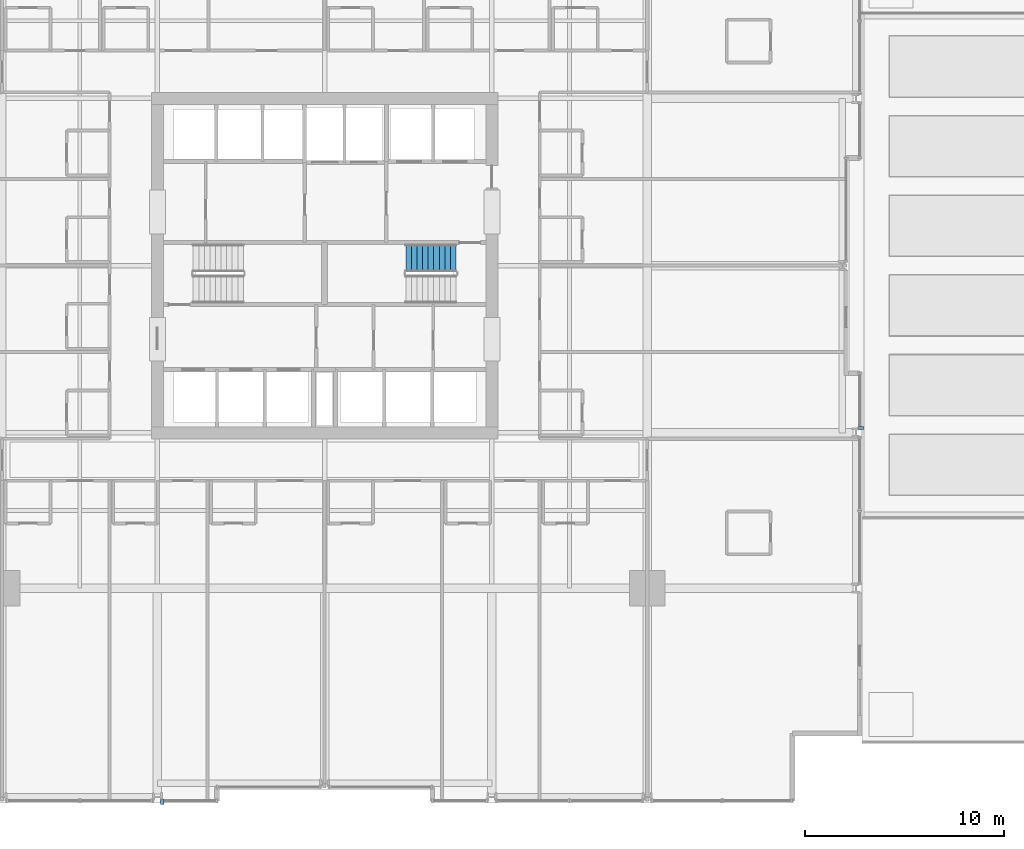
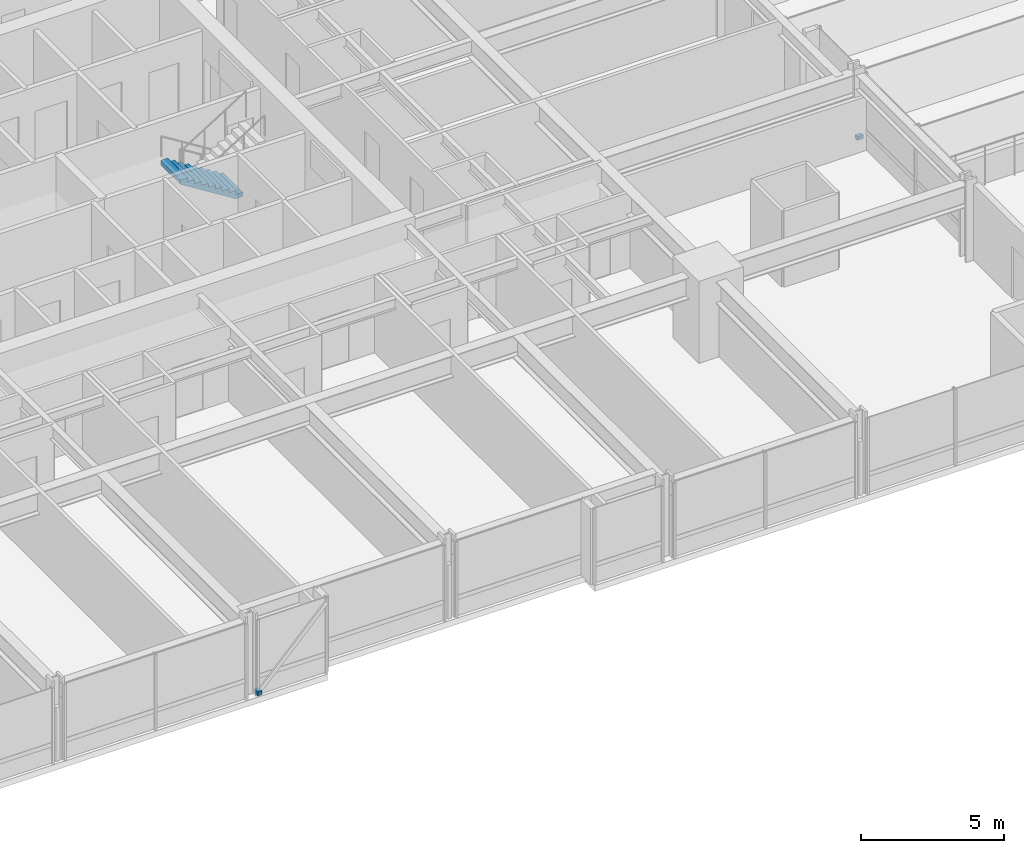
# One storey, part 36 of 42: 2 discrete accessories, 1 stair flight, 1 element without a shape of its own.
"""IFC4 building model written with IfcOpenShell, lengths in metres."""

from ifc_helpers import new_model, si_unit, direction, frame, origin, origin_2d, place, context, subcontext, project, spatial, polyline, rectangle, outline, extrude, material, type_object, element, aggregate, save


model = new_model("IFC4")

# Units and contexts
model_context = context("Model", 3, precision=1e-05, world=origin(), true_north=direction((0.0, 1.0)))
body_context = subcontext(model_context, "Body", "Model", "MODEL_VIEW")
ifc_project = project(units=[si_unit("LENGTHUNIT", "METRE"), si_unit("AREAUNIT", "SQUARE_METRE"), si_unit("VOLUMEUNIT", "CUBIC_METRE"), si_unit("PLANEANGLEUNIT", "RADIAN"), si_unit("MASSUNIT", "GRAM", prefix="KILO")], contexts=[model_context])

# Site, building, storey
site_placement = place(None, origin())
site = spatial("IfcSite", under=ifc_project, at=site_placement, CompositionType="ELEMENT")
building_placement = place(site_placement, origin())
building = spatial("IfcBuilding", under=site, at=building_placement, Name="Drelvath Grand Hotel", CompositionType="ELEMENT")
storey_placement = place(building_placement, frame((0.0, 0.0, 33.199951171875)))
storey = spatial("IfcBuildingStorey", under=building, at=storey_placement, Name="L06", CompositionType="ELEMENT", Elevation=33.199951171875)

# Stair, stair flight
ifc_material_1 = material(Name="Concrete C40/50", Category="concrete")
stair_type = type_object("IfcStairType", Name="Dogleg Exit Stair W1400-R175.0", PredefinedType="HALF_TURN_STAIR", material=ifc_material_1)
stair_placement = place(storey_placement, origin())
stair = element("IfcStair", 1, at=stair_placement, inside=storey, type_object=stair_type, Name="L06 Core Exit Stair ST-2", PredefinedType="HALF_TURN_STAIR")
stair_flight_type = type_object("IfcStairFlightType", Name="Concrete Stair Flight W1400-R175.0", PredefinedType="STRAIGHT", material=ifc_material_1)
stair_flight_placement = place(storey_placement, frame((6.60009765625, 27.3798828125, 0.0), z_axis=(0.0, 0.0, 1.0), x_axis=(-1.0, 0.0, 0.0)))
stair_flight = element("IfcStairFlight", 2, at=stair_flight_placement, type_object=stair_flight_type, Name="ST-2 flight 1", NumberOfRisers=10, NumberOfTreads=9, PredefinedType="STRAIGHT", RiserHeight=0.175, TreadLength=0.28, context=body_context, shape_type="SweptSolid", body=[
    extrude(outline(polyline([(0.0, 0.0), (0.0, 0.175048828125), (0.280029296875, 0.175048828125), (0.280029296875, 0.35009765625), (0.56005859375, 0.35009765625), (0.56005859375, 0.52490234375), (0.840087890625, 0.52490234375), (0.840087890625, 0.699951171875), (1.1201171875, 0.699951171875), (1.1201171875, 0.875), (1.39990234375, 0.875), (1.39990234375, 1.050048828125), (1.679931640625, 1.050048828125), (1.679931640625, 1.22509765625), (1.9599609375, 1.22509765625), (1.9599609375, 1.39990234375), (2.239990234375, 1.39990234375), (2.239990234375, 1.574951171875), (2.52001953125, 1.574951171875), (2.52001953125, 1.75), (2.52001953125, 1.386474609375), (0.3017578125, 0.0), (0.0, 0.0)])), frame((0.0, 0.699951171875, 0.0), z_axis=(0.0, -1.0, 0.0), x_axis=(1.0, 0.0, 0.0)), (0.0, 0.0, 1.0), 1.39990234375),
])
aggregate(stair, [stair_flight])

# Discrete accessories
ifc_material_2 = material(Name="Stainless Steel Grade 316", Category="steel")
discrete_accessory_type = type_object("IfcDiscreteAccessoryType", Name="Curtain Wall Fin Mounting Bracket Cleat", PredefinedType="BRACKET", material=ifc_material_2)
for number, where, z_axis, x_axis, name in (
    (3, (26.93994140625, 18.8408203125, 0.10009765625), (0.0, 0.0, 1.0), (0.0, -1.0, 0.0), "L06 Fin Mounting Bracket CW02-L06-ES3-1"),
    (4, (-8.1591796875, 0.06005859375, 0.10009765625), (0.0, 0.0, 1.0), (-1.0, 0.0, 0.0), "L06 Fin Mounting Bracket CW02-L06-SW3-1"),
):
    element("IfcDiscreteAccessory", number, at=place(storey_placement, frame(where, z_axis=z_axis, x_axis=x_axis)), inside=storey, type_object=discrete_accessory_type, Name=name, PredefinedType="BRACKET", context=body_context, shape_type="SweptSolid", body=[
        extrude(rectangle(XDim=0.159912109375, YDim=0.239990234375, at=origin_2d()), origin(), (0.0, 0.0, 1.0), 0.159912109375),
    ])

save(model, "model.ifc")
